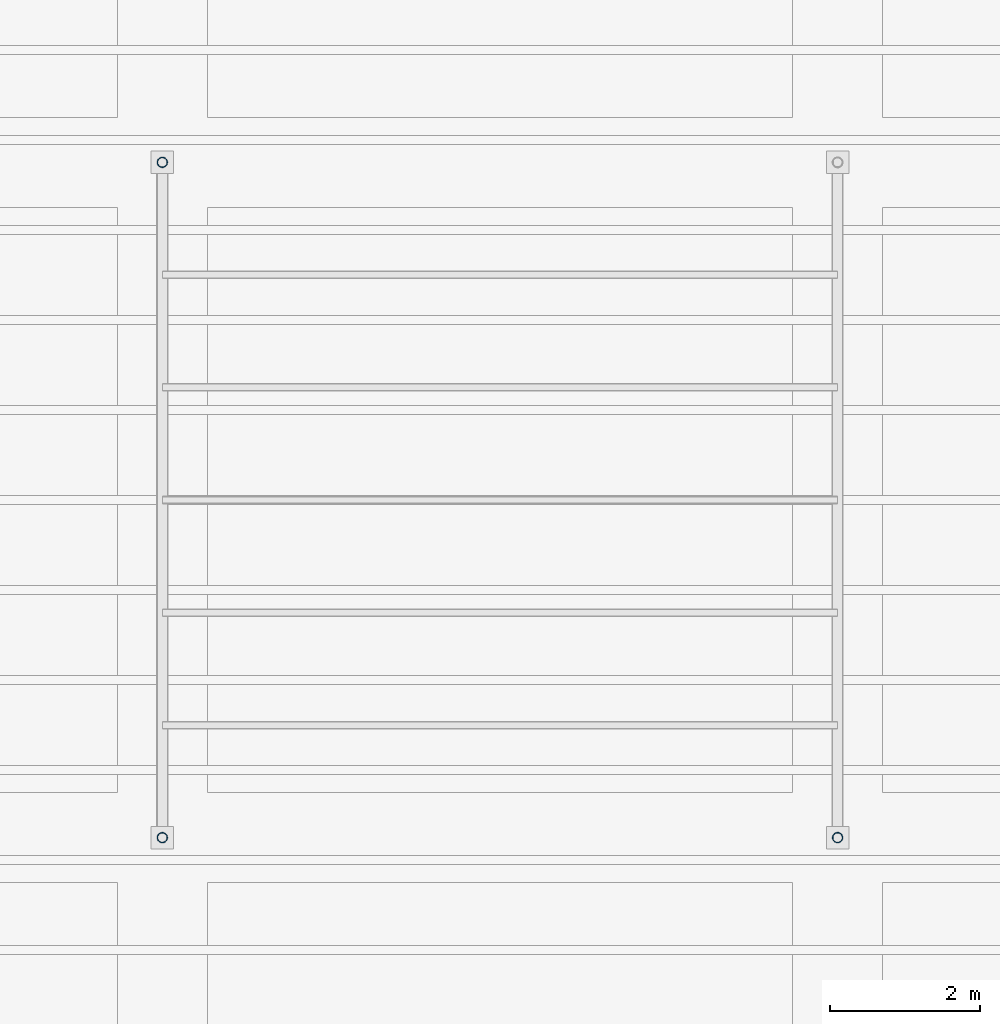
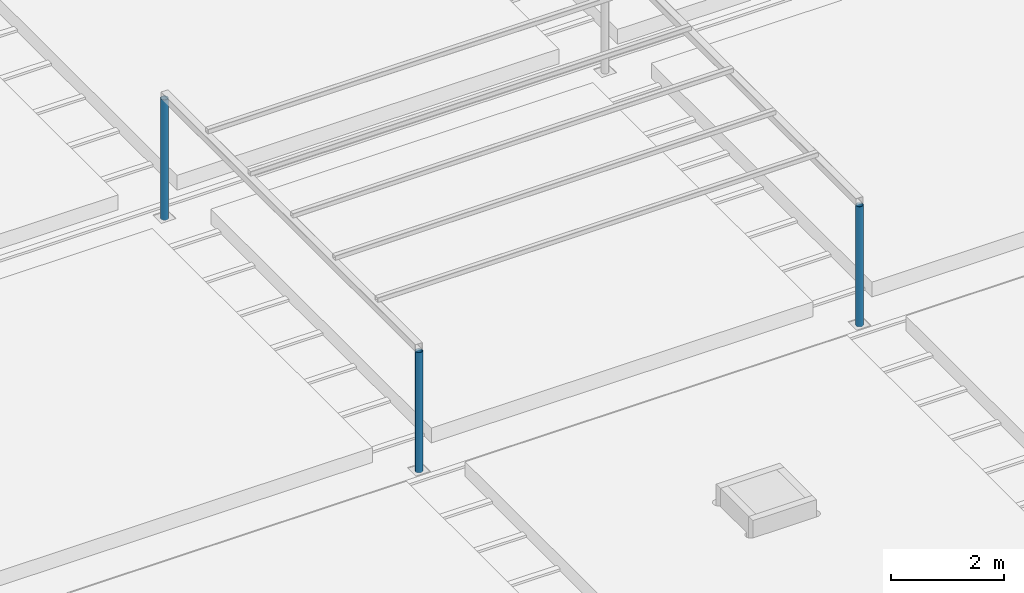
# One storey, part 15 of 153: 3 columns.
"""IFC4 building model written with IfcOpenShell, lengths in metres."""

from ifc_helpers import new_model, si_unit, direction, frame, origin, origin_2d, place, context, subcontext, project, spatial, hollow_circle, extrude, material, material_profile, profile_set, type_object, element, save


model = new_model("IFC4")

# Units and contexts
model_context = context("Model", 3, precision=1e-05, world=origin(), true_north=direction((0.0, 1.0)))
body_context = subcontext(model_context, "Body", "Model", "MODEL_VIEW")
ifc_project = project(units=[si_unit("LENGTHUNIT", "METRE"), si_unit("AREAUNIT", "SQUARE_METRE"), si_unit("VOLUMEUNIT", "CUBIC_METRE"), si_unit("PLANEANGLEUNIT", "RADIAN"), si_unit("MASSUNIT", "GRAM", prefix="KILO")], contexts=[model_context])

# Site, building, storey
site_placement = place(None, origin())
site = spatial("IfcSite", under=ifc_project, at=site_placement, CompositionType="ELEMENT")
building_placement = place(site_placement, origin())
building = spatial("IfcBuilding", under=site, at=building_placement, Name="Baradari Gate Terminus", CompositionType="ELEMENT")
storey_placement = place(building_placement, frame((0.0, 0.0, 11.699951171875)))
storey = spatial("IfcBuildingStorey", under=building, at=storey_placement, Name="L02", CompositionType="ELEMENT", Elevation=11.699951171875)

# Columns
ifc_material = material(Name="Steel S355", Category="steel")
ifc_material_profile = material_profile(ifc_material, hollow_circle(Radius=0.06982421875, WallThickness=0.008056640625, at=origin_2d()), Name="CHS 139.7x8")
ifc_profile_set = profile_set([ifc_material_profile], Name="Steel S355")
column_type = type_object("IfcColumnType", Name="Pergola post CHS 139.7x8", PredefinedType="COLUMN", material=ifc_profile_set)
for number, where, z_axis, x_axis, name in (
    (1, (207.0, 90.0, 0.0), (0.0, 0.0, 1.0), (1.0, 0.0, 0.0), "RF/L02/PGE2-PGC1"),
    (2, (216.0, 90.0, 0.0), (0.0, 0.0, 1.0), (1.0, 0.0, 0.0), "RF/L02/PGE2-PGC2"),
    (3, (207.0, 99.0, 0.0), (0.0, 0.0, 1.0), (1.0, 0.0, 0.0), "RF/L02/PGE2-PGC4"),
):
    element("IfcColumn", number, at=place(storey_placement, frame(where, z_axis=z_axis, x_axis=x_axis)), inside=storey, type_object=column_type, Name=name, PredefinedType="COLUMN", context=body_context, shape_type="SweptSolid", body=[
        extrude(hollow_circle(Radius=0.06982421875, WallThickness=0.008056640625, at=origin_2d()), origin(), (0.0, 0.0, 1.0), 2.60009765625),
    ])

save(model, "model.ifc")
